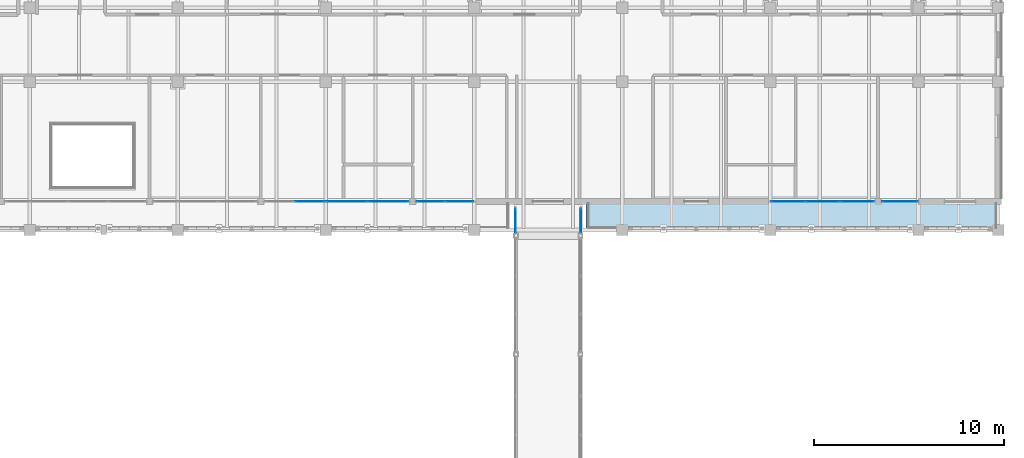
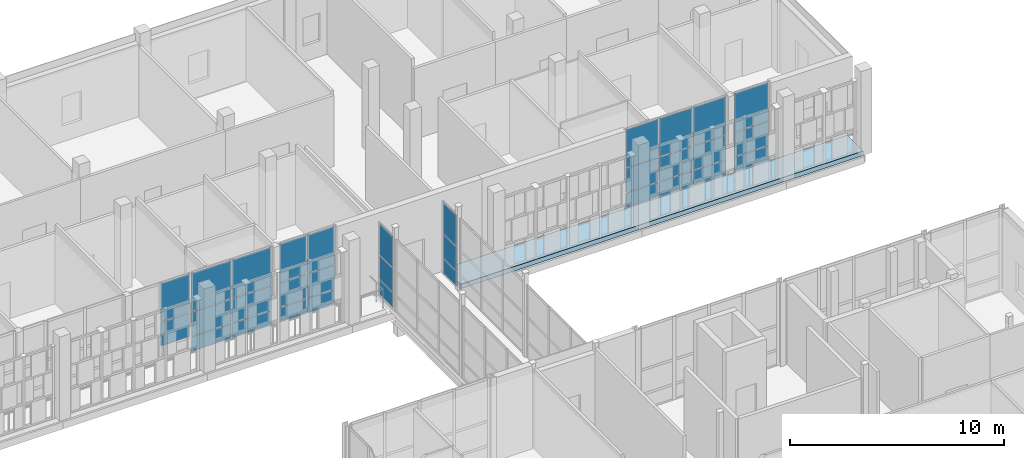
# One storey, part 89 of 138: 32 plates, 1 slab, 7 elements without a shape of their own.
"""IFC4 building model written with IfcOpenShell, lengths in metres."""

from ifc_helpers import new_model, si_unit, direction, frame, origin, origin_2d, place, context, subcontext, project, spatial, polyline, rectangle, outline, extrude, material, layer, layer_set, type_object, element, aggregate, save


model = new_model("IFC4")

# Units and contexts
model_context = context("Model", 3, precision=1e-05, world=origin(), true_north=direction((0.0, 1.0)))
body_context = subcontext(model_context, "Body", "Model", "MODEL_VIEW")
ifc_project = project(units=[si_unit("LENGTHUNIT", "METRE"), si_unit("AREAUNIT", "SQUARE_METRE"), si_unit("VOLUMEUNIT", "CUBIC_METRE"), si_unit("PLANEANGLEUNIT", "RADIAN"), si_unit("MASSUNIT", "GRAM", prefix="KILO")], contexts=[model_context])

# Site, building, storey
site_placement = place(None, origin())
site = spatial("IfcSite", under=ifc_project, at=site_placement, CompositionType="ELEMENT")
building_placement = place(site_placement, origin())
building = spatial("IfcBuilding", under=site, at=building_placement, Name="Celorna Specialist Clinic", CompositionType="ELEMENT")
storey_placement = place(building_placement, frame((0.0, 0.0, 4.800048828125)))
storey = spatial("IfcBuildingStorey", under=building, at=storey_placement, Name="L01", CompositionType="ELEMENT", Elevation=4.800048828125)

# Curtain wall, plates
ifc_material_1 = material(Name="Thermally broken aluminium and solar-control glass curtain wall", Category="aluminium")
ifc_layer_1 = layer(ifc_material_1, 0.159912109375, Name="Thermally broken aluminium and solar-control glass curtain wall")
ifc_layer_set_1 = layer_set([ifc_layer_1], Name="Thermally broken aluminium and solar-control glass curtain wall")
curtain_wall_type_1 = type_object("IfcCurtainWallType", Name="CW-61", PredefinedType="NOTDEFINED", material=ifc_layer_set_1)
curtain_wall_1_placement = place(storey_placement, origin())
curtain_wall_1 = element("IfcCurtainWall", 1, at=curtain_wall_1_placement, inside=storey, type_object=curtain_wall_type_1, Name="Curtain wall CW-61 #115", PredefinedType="NOTDEFINED")
ifc_material_2 = material(Name="Low-e double glazing", Category="glass")
ifc_layer_2 = layer(ifc_material_2, 0.028076171875, Name="Low-e double glazing")
ifc_layer_set_2 = layer_set([ifc_layer_2], Name="Low-e double glazing")
plate_type_1 = type_object("IfcPlateType", Name="CPN-01", PredefinedType="CURTAIN_PANEL", material=ifc_layer_set_2)
plate_1_placement = place(storey_placement, frame((131.7705078125, 98.0, 0.9248046875), z_axis=(0.0, 0.0, 1.0), x_axis=(-1.0, 0.0, 0.0)))
plate_1 = element("IfcPlate", 2, at=plate_1_placement, type_object=plate_type_1, Name="CW-61 panel 1.2", PredefinedType="CURTAIN_PANEL", context=body_context, shape_type="SweptSolid", body=[
    extrude(rectangle(XDim=1.551025390625, YDim=0.028076171875, at=origin_2d()), origin(), (0.0, 0.0, 1.0), 1.35009765625),
])
plate_2_placement = place(storey_placement, frame((131.7705078125, 98.0, 2.324951171875), z_axis=(0.0, 0.0, 1.0), x_axis=(-1.0, 0.0, 0.0)))
plate_2 = element("IfcPlate", 3, at=plate_2_placement, type_object=plate_type_1, Name="CW-61 panel 1.3", PredefinedType="CURTAIN_PANEL", context=body_context, shape_type="SweptSolid", body=[
    extrude(rectangle(XDim=1.551025390625, YDim=0.028076171875, at=origin_2d()), origin(), (0.0, 0.0, 1.0), 2.1650390625),
])
aggregate(curtain_wall_1, [plate_1, plate_2])

ifc_layer_3 = layer(ifc_material_1, 0.159912109375, Name="Thermally broken aluminium and solar-control glass curtain wall")
ifc_layer_set_3 = layer_set([ifc_layer_3], Name="Thermally broken aluminium and solar-control glass curtain wall")
curtain_wall_type_2 = type_object("IfcCurtainWallType", Name="CW-115", PredefinedType="NOTDEFINED", material=ifc_layer_set_3)
curtain_wall_2_placement = place(storey_placement, origin())
curtain_wall_2 = element("IfcCurtainWall", 4, at=curtain_wall_2_placement, inside=storey, type_object=curtain_wall_type_2, Name="Curtain wall CW-115 #222", PredefinedType="NOTDEFINED")
plate_3_placement = place(storey_placement, frame((142.580078125, 96.9951171875, 0.0498046875), z_axis=(0.0, 0.0, 1.0), x_axis=(0.0, 1.0, 0.0)))
plate_3 = element("IfcPlate", 5, at=plate_3_placement, type_object=plate_type_1, Name="CW-115 panel 1.1", PredefinedType="CURTAIN_PANEL", context=body_context, shape_type="SweptSolid", body=[
    extrude(rectangle(XDim=1.25, YDim=0.028076171875, at=origin_2d()), origin(), (0.0, 0.0, 1.0), 0.824951171875),
])
plate_4_placement = place(storey_placement, frame((142.580078125, 96.9951171875, 0.9248046875), z_axis=(0.0, 0.0, 1.0), x_axis=(0.0, 1.0, 0.0)))
plate_4 = element("IfcPlate", 6, at=plate_4_placement, type_object=plate_type_1, Name="CW-115 panel 1.2", PredefinedType="CURTAIN_PANEL", context=body_context, shape_type="SweptSolid", body=[
    extrude(rectangle(XDim=1.25, YDim=0.028076171875, at=origin_2d()), origin(), (0.0, 0.0, 1.0), 1.35009765625),
])
plate_5_placement = place(storey_placement, frame((142.580078125, 96.9951171875, 2.324951171875), z_axis=(0.0, 0.0, 1.0), x_axis=(0.0, 1.0, 0.0)))
plate_5 = element("IfcPlate", 7, at=plate_5_placement, type_object=plate_type_1, Name="CW-115 panel 1.3", PredefinedType="CURTAIN_PANEL", context=body_context, shape_type="SweptSolid", body=[
    extrude(rectangle(XDim=1.25, YDim=0.028076171875, at=origin_2d()), origin(), (0.0, 0.0, 1.0), 1.7548828125),
])
aggregate(curtain_wall_2, [plate_3, plate_4, plate_5])

curtain_wall_3_placement = place(storey_placement, origin())
curtain_wall_3 = element("IfcCurtainWall", 8, at=curtain_wall_3_placement, inside=storey, type_object=curtain_wall_type_2, Name="Curtain wall CW-115 #223", PredefinedType="NOTDEFINED")
plate_6_placement = place(storey_placement, frame((146.02001953125, 96.9951171875, 0.0498046875), z_axis=(0.0, 0.0, 1.0), x_axis=(0.0, -1.0, 0.0)))
plate_6 = element("IfcPlate", 9, at=plate_6_placement, type_object=plate_type_1, Name="CW-115 panel 1.1", PredefinedType="CURTAIN_PANEL", context=body_context, shape_type="SweptSolid", body=[
    extrude(rectangle(XDim=1.25, YDim=0.028076171875, at=origin_2d()), origin(), (0.0, 0.0, 1.0), 0.824951171875),
])
plate_7_placement = place(storey_placement, frame((146.02001953125, 96.9951171875, 0.9248046875), z_axis=(0.0, 0.0, 1.0), x_axis=(0.0, -1.0, 0.0)))
plate_7 = element("IfcPlate", 10, at=plate_7_placement, type_object=plate_type_1, Name="CW-115 panel 1.2", PredefinedType="CURTAIN_PANEL", context=body_context, shape_type="SweptSolid", body=[
    extrude(rectangle(XDim=1.25, YDim=0.028076171875, at=origin_2d()), origin(), (0.0, 0.0, 1.0), 1.35009765625),
])
plate_8_placement = place(storey_placement, frame((146.02001953125, 96.9951171875, 2.324951171875), z_axis=(0.0, 0.0, 1.0), x_axis=(0.0, -1.0, 0.0)))
plate_8 = element("IfcPlate", 11, at=plate_8_placement, type_object=plate_type_1, Name="CW-115 panel 1.3", PredefinedType="CURTAIN_PANEL", context=body_context, shape_type="SweptSolid", body=[
    extrude(rectangle(XDim=1.25, YDim=0.028076171875, at=origin_2d()), origin(), (0.0, 0.0, 1.0), 1.7548828125),
])
aggregate(curtain_wall_3, [plate_6, plate_7, plate_8])

ifc_layer_4 = layer(ifc_material_1, 0.159912109375, Name="Thermally broken aluminium and solar-control glass curtain wall")
ifc_layer_set_4 = layer_set([ifc_layer_4], Name="Thermally broken aluminium and solar-control glass curtain wall")
curtain_wall_type_3 = type_object("IfcCurtainWallType", Name="CW-63", PredefinedType="NOTDEFINED", material=ifc_layer_set_4)
curtain_wall_4_placement = place(storey_placement, origin())
curtain_wall_4 = element("IfcCurtainWall", 12, at=curtain_wall_4_placement, inside=storey, type_object=curtain_wall_type_3, Name="Curtain wall CW-63 #117", PredefinedType="NOTDEFINED")
ifc_material_3 = material(Name="Solar-control triple glazing", Category="glass")
ifc_layer_5 = layer(ifc_material_3, 0.035888671875, Name="Solar-control triple glazing")
ifc_layer_set_5 = layer_set([ifc_layer_5], Name="Solar-control triple glazing")
plate_type_2 = type_object("IfcPlateType", Name="CPN-02", PredefinedType="CURTAIN_PANEL", material=ifc_layer_set_5)
plate_9_placement = place(storey_placement, frame((139.62060546875, 98.0, 0.0498046875), z_axis=(0.0, 0.0, 1.0), x_axis=(-1.0, 0.0, 0.0)))
plate_9 = element("IfcPlate", 13, at=plate_9_placement, type_object=plate_type_2, Name="CW-63 panel 1.1", PredefinedType="CURTAIN_PANEL", context=body_context, shape_type="SweptSolid", body=[
    extrude(rectangle(XDim=1.450927734375, YDim=0.035888671875, at=origin_2d()), origin(), (0.0, 0.0, 1.0), 0.824951171875),
])
plate_10_placement = place(storey_placement, frame((139.62060546875, 98.0, 0.9248046875), z_axis=(0.0, 0.0, 1.0), x_axis=(-1.0, 0.0, 0.0)))
plate_10 = element("IfcPlate", 14, at=plate_10_placement, type_object=plate_type_2, Name="CW-63 panel 1.2", PredefinedType="CURTAIN_PANEL", context=body_context, shape_type="SweptSolid", body=[
    extrude(rectangle(XDim=1.450927734375, YDim=0.035888671875, at=origin_2d()), origin(), (0.0, 0.0, 1.0), 1.35009765625),
])
plate_11_placement = place(storey_placement, frame((139.62060546875, 98.0, 2.324951171875), z_axis=(0.0, 0.0, 1.0), x_axis=(-1.0, 0.0, 0.0)))
plate_11 = element("IfcPlate", 15, at=plate_11_placement, type_object=plate_type_2, Name="CW-63 panel 1.3", PredefinedType="CURTAIN_PANEL", context=body_context, shape_type="SweptSolid", body=[
    extrude(rectangle(XDim=1.450927734375, YDim=0.035888671875, at=origin_2d()), origin(), (0.0, 0.0, 1.0), 2.1650390625),
])
plate_12_placement = place(storey_placement, frame((138.119384765625, 98.0, 0.0498046875), z_axis=(0.0, 0.0, 1.0), x_axis=(-1.0, 0.0, 0.0)))
plate_12 = element("IfcPlate", 16, at=plate_12_placement, type_object=plate_type_2, Name="CW-63 panel 2.1", PredefinedType="CURTAIN_PANEL", context=body_context, shape_type="SweptSolid", body=[
    extrude(rectangle(XDim=1.450927734375, YDim=0.035888671875, at=origin_2d()), origin(), (0.0, 0.0, 1.0), 0.824951171875),
])
plate_13_placement = place(storey_placement, frame((138.119384765625, 98.0, 0.9248046875), z_axis=(0.0, 0.0, 1.0), x_axis=(-1.0, 0.0, 0.0)))
plate_13 = element("IfcPlate", 17, at=plate_13_placement, type_object=plate_type_2, Name="CW-63 panel 2.2", PredefinedType="CURTAIN_PANEL", context=body_context, shape_type="SweptSolid", body=[
    extrude(rectangle(XDim=1.450927734375, YDim=0.035888671875, at=origin_2d()), origin(), (0.0, 0.0, 1.0), 1.35009765625),
])
plate_14_placement = place(storey_placement, frame((138.119384765625, 98.0, 2.324951171875), z_axis=(0.0, 0.0, 1.0), x_axis=(-1.0, 0.0, 0.0)))
plate_14 = element("IfcPlate", 18, at=plate_14_placement, type_object=plate_type_2, Name="CW-63 panel 2.3", PredefinedType="CURTAIN_PANEL", context=body_context, shape_type="SweptSolid", body=[
    extrude(rectangle(XDim=1.450927734375, YDim=0.035888671875, at=origin_2d()), origin(), (0.0, 0.0, 1.0), 2.1650390625),
])
aggregate(curtain_wall_4, [plate_9, plate_10, plate_11, plate_12, plate_13, plate_14])

ifc_layer_6 = layer(ifc_material_1, 0.159912109375, Name="Thermally broken aluminium and solar-control glass curtain wall")
ifc_layer_set_6 = layer_set([ifc_layer_6], Name="Thermally broken aluminium and solar-control glass curtain wall")
curtain_wall_type_4 = type_object("IfcCurtainWallType", Name="CW-64", PredefinedType="NOTDEFINED", material=ifc_layer_set_6)
curtain_wall_5_placement = place(storey_placement, origin())
curtain_wall_5 = element("IfcCurtainWall", 19, at=curtain_wall_5_placement, inside=storey, type_object=curtain_wall_type_4, Name="Curtain wall CW-64 #118", PredefinedType="NOTDEFINED")
plate_15_placement = place(storey_placement, frame((135.885498046875, 98.0, 0.0498046875), z_axis=(0.0, 0.0, 1.0), x_axis=(-1.0, 0.0, 0.0)))
plate_15 = element("IfcPlate", 20, at=plate_15_placement, type_object=plate_type_2, Name="CW-64 panel 1.1", PredefinedType="CURTAIN_PANEL", context=body_context, shape_type="SweptSolid", body=[
    extrude(rectangle(XDim=2.12109375, YDim=0.035888671875, at=origin_2d()), origin(), (0.0, 0.0, 1.0), 0.824951171875),
])
plate_16_placement = place(storey_placement, frame((135.885498046875, 98.0, 0.9248046875), z_axis=(0.0, 0.0, 1.0), x_axis=(-1.0, 0.0, 0.0)))
plate_16 = element("IfcPlate", 21, at=plate_16_placement, type_object=plate_type_2, Name="CW-64 panel 1.2", PredefinedType="CURTAIN_PANEL", context=body_context, shape_type="SweptSolid", body=[
    extrude(rectangle(XDim=2.12109375, YDim=0.035888671875, at=origin_2d()), origin(), (0.0, 0.0, 1.0), 1.35009765625),
])
plate_17_placement = place(storey_placement, frame((135.885498046875, 98.0, 2.324951171875), z_axis=(0.0, 0.0, 1.0), x_axis=(-1.0, 0.0, 0.0)))
plate_17 = element("IfcPlate", 22, at=plate_17_placement, type_object=plate_type_2, Name="CW-64 panel 1.3", PredefinedType="CURTAIN_PANEL", context=body_context, shape_type="SweptSolid", body=[
    extrude(rectangle(XDim=2.12109375, YDim=0.035888671875, at=origin_2d()), origin(), (0.0, 0.0, 1.0), 2.1650390625),
])
plate_18_placement = place(storey_placement, frame((133.714599609375, 98.0, 0.0498046875), z_axis=(0.0, 0.0, 1.0), x_axis=(-1.0, 0.0, 0.0)))
plate_18 = element("IfcPlate", 23, at=plate_18_placement, type_object=plate_type_2, Name="CW-64 panel 2.1", PredefinedType="CURTAIN_PANEL", context=body_context, shape_type="SweptSolid", body=[
    extrude(rectangle(XDim=2.12109375, YDim=0.035888671875, at=origin_2d()), origin(), (0.0, 0.0, 1.0), 0.824951171875),
])
plate_19_placement = place(storey_placement, frame((133.714599609375, 98.0, 0.9248046875), z_axis=(0.0, 0.0, 1.0), x_axis=(-1.0, 0.0, 0.0)))
plate_19 = element("IfcPlate", 24, at=plate_19_placement, type_object=plate_type_2, Name="CW-64 panel 2.2", PredefinedType="CURTAIN_PANEL", context=body_context, shape_type="SweptSolid", body=[
    extrude(rectangle(XDim=2.12109375, YDim=0.035888671875, at=origin_2d()), origin(), (0.0, 0.0, 1.0), 1.35009765625),
])
plate_20_placement = place(storey_placement, frame((133.714599609375, 98.0, 2.324951171875), z_axis=(0.0, 0.0, 1.0), x_axis=(-1.0, 0.0, 0.0)))
plate_20 = element("IfcPlate", 25, at=plate_20_placement, type_object=plate_type_2, Name="CW-64 panel 2.3", PredefinedType="CURTAIN_PANEL", context=body_context, shape_type="SweptSolid", body=[
    extrude(rectangle(XDim=2.12109375, YDim=0.035888671875, at=origin_2d()), origin(), (0.0, 0.0, 1.0), 2.1650390625),
])
aggregate(curtain_wall_5, [plate_15, plate_16, plate_17, plate_18, plate_19, plate_20])

ifc_layer_7 = layer(ifc_material_1, 0.159912109375, Name="Thermally broken aluminium and solar-control glass curtain wall")
ifc_layer_set_7 = layer_set([ifc_layer_7], Name="Thermally broken aluminium and solar-control glass curtain wall")
curtain_wall_type_5 = type_object("IfcCurtainWallType", Name="CW-65", PredefinedType="NOTDEFINED", material=ifc_layer_set_7)
curtain_wall_6_placement = place(storey_placement, origin())
curtain_wall_6 = element("IfcCurtainWall", 26, at=curtain_wall_6_placement, inside=storey, type_object=curtain_wall_type_5, Name="Curtain wall CW-65 #119", PredefinedType="NOTDEFINED")
plate_21_placement = place(storey_placement, frame((162.820068359375, 98.0, 0.0498046875), z_axis=(0.0, 0.0, 1.0), x_axis=(-1.0, 0.0, 0.0)))
plate_21 = element("IfcPlate", 27, at=plate_21_placement, type_object=plate_type_2, Name="CW-65 panel 1.1", PredefinedType="CURTAIN_PANEL", context=body_context, shape_type="SweptSolid", body=[
    extrude(rectangle(XDim=1.85205078125, YDim=0.035888671875, at=origin_2d()), origin(), (0.0, 0.0, 1.0), 0.824951171875),
])
plate_22_placement = place(storey_placement, frame((162.820068359375, 98.0, 0.9248046875), z_axis=(0.0, 0.0, 1.0), x_axis=(-1.0, 0.0, 0.0)))
plate_22 = element("IfcPlate", 28, at=plate_22_placement, type_object=plate_type_2, Name="CW-65 panel 1.2", PredefinedType="CURTAIN_PANEL", context=body_context, shape_type="SweptSolid", body=[
    extrude(rectangle(XDim=1.85205078125, YDim=0.035888671875, at=origin_2d()), origin(), (0.0, 0.0, 1.0), 1.35009765625),
])
plate_23_placement = place(storey_placement, frame((162.820068359375, 98.0, 2.324951171875), z_axis=(0.0, 0.0, 1.0), x_axis=(-1.0, 0.0, 0.0)))
plate_23 = element("IfcPlate", 29, at=plate_23_placement, type_object=plate_type_2, Name="CW-65 panel 1.3", PredefinedType="CURTAIN_PANEL", context=body_context, shape_type="SweptSolid", body=[
    extrude(rectangle(XDim=1.85205078125, YDim=0.035888671875, at=origin_2d()), origin(), (0.0, 0.0, 1.0), 2.1650390625),
])
aggregate(curtain_wall_6, [plate_21, plate_22, plate_23])

ifc_layer_8 = layer(ifc_material_1, 0.159912109375, Name="Thermally broken aluminium and solar-control glass curtain wall")
ifc_layer_set_8 = layer_set([ifc_layer_8], Name="Thermally broken aluminium and solar-control glass curtain wall")
curtain_wall_type_6 = type_object("IfcCurtainWallType", Name="CW-66", PredefinedType="NOTDEFINED", material=ifc_layer_set_8)
curtain_wall_7_placement = place(storey_placement, origin())
curtain_wall_7 = element("IfcCurtainWall", 30, at=curtain_wall_7_placement, inside=storey, type_object=curtain_wall_type_6, Name="Curtain wall CW-66 #120", PredefinedType="NOTDEFINED")
plate_24_placement = place(storey_placement, frame((160.568115234375, 98.0, 0.0498046875), z_axis=(0.0, 0.0, 1.0), x_axis=(-1.0, 0.0, 0.0)))
plate_24 = element("IfcPlate", 31, at=plate_24_placement, type_object=plate_type_2, Name="CW-66 panel 1.1", PredefinedType="CURTAIN_PANEL", context=body_context, shape_type="SweptSolid", body=[
    extrude(rectangle(XDim=1.755615234375, YDim=0.035888671875, at=origin_2d()), origin(), (0.0, 0.0, 1.0), 0.824951171875),
])
plate_25_placement = place(storey_placement, frame((160.568115234375, 98.0, 0.9248046875), z_axis=(0.0, 0.0, 1.0), x_axis=(-1.0, 0.0, 0.0)))
plate_25 = element("IfcPlate", 32, at=plate_25_placement, type_object=plate_type_2, Name="CW-66 panel 1.2", PredefinedType="CURTAIN_PANEL", context=body_context, shape_type="SweptSolid", body=[
    extrude(rectangle(XDim=1.755615234375, YDim=0.035888671875, at=origin_2d()), origin(), (0.0, 0.0, 1.0), 1.35009765625),
])
plate_26_placement = place(storey_placement, frame((160.568115234375, 98.0, 2.324951171875), z_axis=(0.0, 0.0, 1.0), x_axis=(-1.0, 0.0, 0.0)))
plate_26 = element("IfcPlate", 33, at=plate_26_placement, type_object=plate_type_2, Name="CW-66 panel 1.3", PredefinedType="CURTAIN_PANEL", context=body_context, shape_type="SweptSolid", body=[
    extrude(rectangle(XDim=1.755615234375, YDim=0.035888671875, at=origin_2d()), origin(), (0.0, 0.0, 1.0), 2.1650390625),
])
plate_27_placement = place(storey_placement, frame((158.75, 98.0, 0.0498046875), z_axis=(0.0, 0.0, 1.0), x_axis=(-1.0, 0.0, 0.0)))
plate_27 = element("IfcPlate", 34, at=plate_27_placement, type_object=plate_type_2, Name="CW-66 panel 2.1", PredefinedType="CURTAIN_PANEL", context=body_context, shape_type="SweptSolid", body=[
    extrude(rectangle(XDim=1.78076171875, YDim=0.035888671875, at=origin_2d()), origin(), (0.0, 0.0, 1.0), 0.824951171875),
])
plate_28_placement = place(storey_placement, frame((158.75, 98.0, 0.9248046875), z_axis=(0.0, 0.0, 1.0), x_axis=(-1.0, 0.0, 0.0)))
plate_28 = element("IfcPlate", 35, at=plate_28_placement, type_object=plate_type_2, Name="CW-66 panel 2.2", PredefinedType="CURTAIN_PANEL", context=body_context, shape_type="SweptSolid", body=[
    extrude(rectangle(XDim=1.78076171875, YDim=0.035888671875, at=origin_2d()), origin(), (0.0, 0.0, 1.0), 1.35009765625),
])
plate_29_placement = place(storey_placement, frame((158.75, 98.0, 2.324951171875), z_axis=(0.0, 0.0, 1.0), x_axis=(-1.0, 0.0, 0.0)))
plate_29 = element("IfcPlate", 36, at=plate_29_placement, type_object=plate_type_2, Name="CW-66 panel 2.3", PredefinedType="CURTAIN_PANEL", context=body_context, shape_type="SweptSolid", body=[
    extrude(rectangle(XDim=1.78076171875, YDim=0.035888671875, at=origin_2d()), origin(), (0.0, 0.0, 1.0), 2.1650390625),
])
plate_30_placement = place(storey_placement, frame((156.931884765625, 98.0, 0.0498046875), z_axis=(0.0, 0.0, 1.0), x_axis=(-1.0, 0.0, 0.0)))
plate_30 = element("IfcPlate", 37, at=plate_30_placement, type_object=plate_type_2, Name="CW-66 panel 3.1", PredefinedType="CURTAIN_PANEL", context=body_context, shape_type="SweptSolid", body=[
    extrude(rectangle(XDim=1.755615234375, YDim=0.035888671875, at=origin_2d()), origin(), (0.0, 0.0, 1.0), 0.824951171875),
])
plate_31_placement = place(storey_placement, frame((156.931884765625, 98.0, 0.9248046875), z_axis=(0.0, 0.0, 1.0), x_axis=(-1.0, 0.0, 0.0)))
plate_31 = element("IfcPlate", 38, at=plate_31_placement, type_object=plate_type_2, Name="CW-66 panel 3.2", PredefinedType="CURTAIN_PANEL", context=body_context, shape_type="SweptSolid", body=[
    extrude(rectangle(XDim=1.755615234375, YDim=0.035888671875, at=origin_2d()), origin(), (0.0, 0.0, 1.0), 1.35009765625),
])
plate_32_placement = place(storey_placement, frame((156.931884765625, 98.0, 2.324951171875), z_axis=(0.0, 0.0, 1.0), x_axis=(-1.0, 0.0, 0.0)))
plate_32 = element("IfcPlate", 39, at=plate_32_placement, type_object=plate_type_2, Name="CW-66 panel 3.3", PredefinedType="CURTAIN_PANEL", context=body_context, shape_type="SweptSolid", body=[
    extrude(rectangle(XDim=1.755615234375, YDim=0.035888671875, at=origin_2d()), origin(), (0.0, 0.0, 1.0), 2.1650390625),
])
aggregate(curtain_wall_7, [plate_24, plate_25, plate_26, plate_27, plate_28, plate_29, plate_30, plate_31, plate_32])

# Slab
ifc_material_4 = material(Name="Concrete C35/45", Category="concrete")
ifc_layer_9 = layer(ifc_material_4, 0.260009765625, Name="Concrete C35/45")
ifc_layer_set_9 = layer_set([ifc_layer_9], Name="Concrete C35/45")
slab_type = type_object("IfcSlabType", Name="SL-07", PredefinedType="FLOOR", material=ifc_layer_set_9)
slab_placement = place(storey_placement, frame((0.0, 0.0, -0.260009765625)))
element("IfcSlab", 40, at=slab_placement, inside=storey, type_object=slab_type, Name="East Outpatient Cloister Veranda", PredefinedType="FLOOR", context=body_context, shape_type="SweptSolid", body=[
    extrude(outline(polyline([(146.300048828125, 96.5), (168.0, 96.5), (168.0, 98.0), (146.300048828125, 98.0), (146.300048828125, 96.5)])), origin(), (0.0, 0.0, 1.0), 0.260009765625),
])

save(model, "model.ifc")
